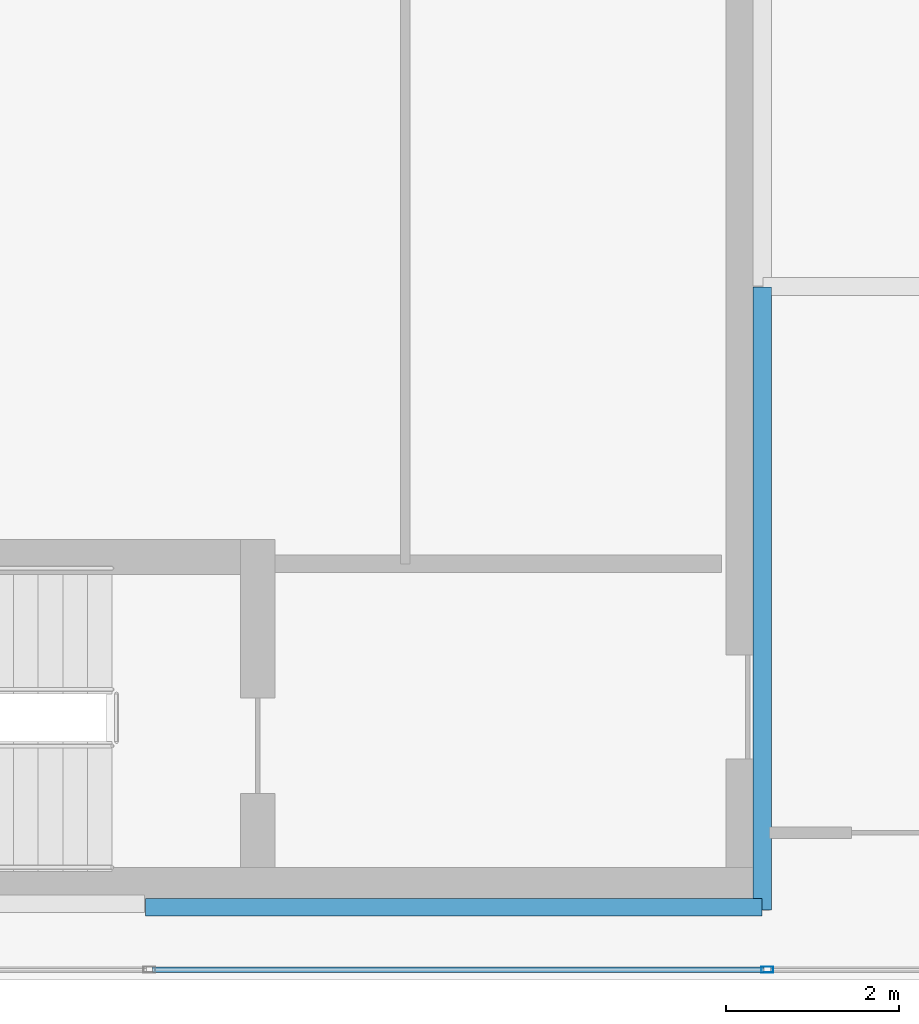
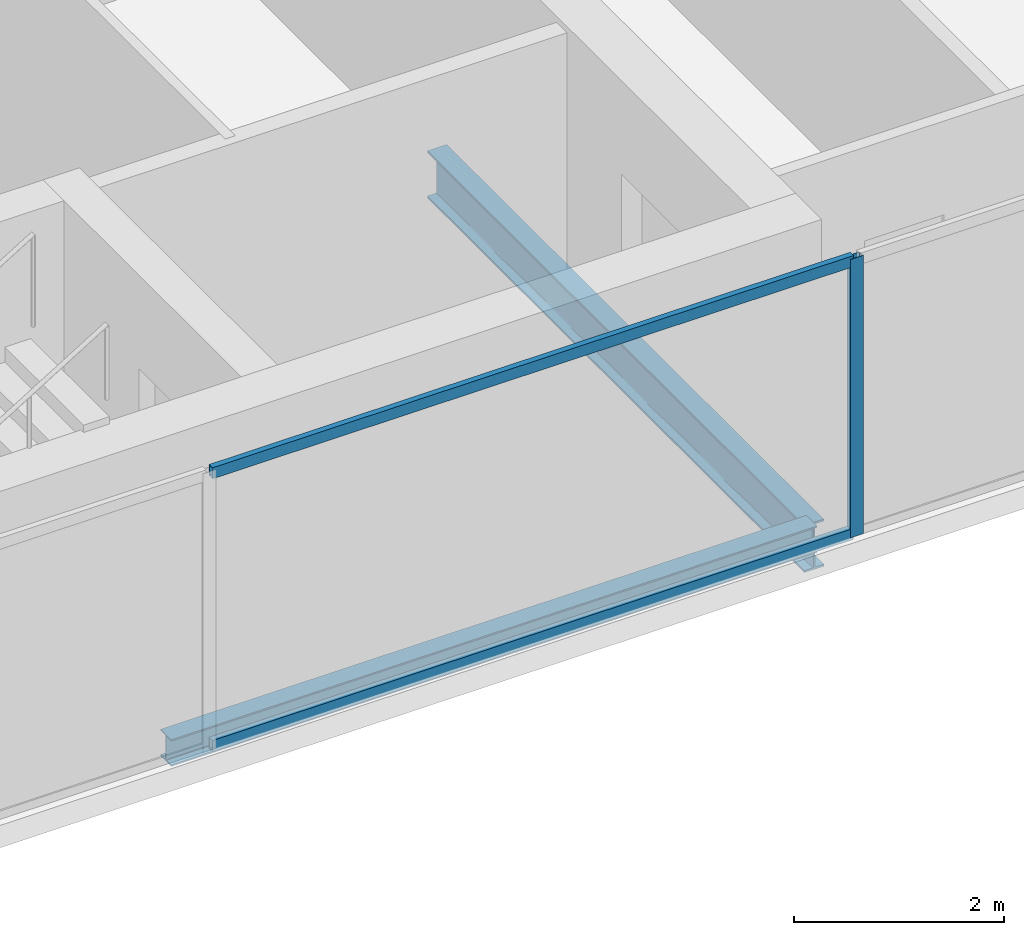
# One storey, part 3 of 23: 3 members, 2 beams, 1 element without a shape of its own.
"""IFC4 building model written with IfcOpenShell, lengths in metres."""

from ifc_helpers import new_model, si_unit, direction, frame, origin, origin_2d, place, context, subcontext, project, spatial, hollow_rectangle, i_section, extrude, material, material_profile, profile_set, type_object, element, aggregate, save


model = new_model("IFC4")

# Units and contexts
model_context = context("Model", 3, precision=1e-05, world=origin(), true_north=direction((0.0, 1.0)))
body_context = subcontext(model_context, "Body", "Model", "MODEL_VIEW")
ifc_project = project(units=[si_unit("LENGTHUNIT", "METRE"), si_unit("AREAUNIT", "SQUARE_METRE"), si_unit("VOLUMEUNIT", "CUBIC_METRE"), si_unit("PLANEANGLEUNIT", "RADIAN"), si_unit("MASSUNIT", "GRAM", prefix="KILO")], contexts=[model_context])

# Site, building, storey
site_placement = place(None, origin())
site = spatial("IfcSite", under=ifc_project, at=site_placement, CompositionType="ELEMENT")
building_placement = place(site_placement, origin())
building = spatial("IfcBuilding", under=site, at=building_placement, Name="Cobrela Telecom Tower", CompositionType="ELEMENT")
storey_placement = place(building_placement, frame((0.0, 0.0, 269.14990234375)))
storey = spatial("IfcBuildingStorey", under=building, at=storey_placement, Name="L70", CompositionType="ELEMENT", Elevation=269.14990234375)

# Beams
ifc_material_1 = material(Name="Steel ASTM A992 Grade 50", Category="steel")
ifc_material_profile_1 = material_profile(ifc_material_1, i_section(OverallWidth=0.212890625, OverallDepth=0.549072265625, WebThickness=0.0146484375, FlangeThickness=0.023681640625, FilletRadius=0.013916015625, at=origin_2d()), Name="W21X93")
ifc_profile_set_1 = profile_set([ifc_material_profile_1], Name="Steel ASTM A992 Grade 50")
beam_type_1 = type_object("IfcBeamType", Name="BM-GIRD-08", PredefinedType="USERDEFINED", material=ifc_profile_set_1)
beam_1_placement = place(storey_placement, frame((14.320068359375, 7.205078125, -0.534423828125), z_axis=(0.0, 1.0, 0.0), x_axis=(-1.0, 0.0, 0.0)))
element("IfcBeam", 1, at=beam_1_placement, inside=storey, type_object=beam_type_1, Name="L70 Primary Girder Y21", ObjectType="GIRDER", PredefinedType="USERDEFINED", context=body_context, shape_type="SweptSolid", body=[
    extrude(i_section(OverallWidth=0.212890625, OverallDepth=0.549072265625, WebThickness=0.0146484375, FlangeThickness=0.023681640625, FilletRadius=0.013916015625, at=origin_2d()), origin(), (0.0, 0.0, 1.0), 7.18994140625),
])
ifc_material_profile_2 = material_profile(ifc_material_1, i_section(OverallWidth=0.205078125, OverallDepth=0.31005859375, WebThickness=0.009521484375, FlangeThickness=0.016357421875, FilletRadius=0.010986328125, at=origin_2d()), Name="W12X50")
ifc_profile_set_2 = profile_set([ifc_material_profile_2], Name="Steel ASTM A992 Grade 50")
beam_type_2 = type_object("IfcBeamType", Name="BM-SPAND-07", PredefinedType="SPANDREL", material=ifc_profile_set_2)
beam_2_placement = place(storey_placement, frame((7.205078125, 7.239990234375, -0.414794921875), z_axis=(1.0, 0.0, 0.0), x_axis=(0.0, 1.0, 0.0)))
element("IfcBeam", 2, at=beam_2_placement, inside=storey, type_object=beam_type_2, Name="L70 Perimeter Spandrel X02", PredefinedType="SPANDREL", context=body_context, shape_type="SweptSolid", body=[
    extrude(i_section(OverallWidth=0.205078125, OverallDepth=0.31005859375, WebThickness=0.009521484375, FlangeThickness=0.016357421875, FilletRadius=0.010986328125, at=origin_2d()), origin(), (0.0, 0.0, 1.0), 7.10986328125),
])

# Curtain wall, members
ifc_material_2 = material(Name="Anodized Bronze Aluminium 6063-T6", Category="aluminium")
curtain_wall_type = type_object("IfcCurtainWallType", Name="CW-SYS-OFF-HI", PredefinedType="USERDEFINED", material=ifc_material_2)
curtain_wall_placement = place(storey_placement, origin())
curtain_wall = element("IfcCurtainWall", 3, at=curtain_wall_placement, inside=storey, type_object=curtain_wall_type, Name="L70 Unitised Bronze Curtain Wall 15", ObjectType="UNITISED CURTAIN WALL", PredefinedType="USERDEFINED")
ifc_material_profile_3 = material_profile(ifc_material_2, hollow_rectangle(XDim=0.070068359375, YDim=0.139892578125, WallThickness=0.00390625, at=origin_2d()), Name="ALU 70x140x4")
ifc_profile_set_3 = profile_set([ifc_material_profile_3], Name="Anodized Bronze Aluminium 6063-T6")
member_type_1 = type_object("IfcMemberType", Name="CW-SYS-OFF-HI-MUL", PredefinedType="MULLION", material=ifc_profile_set_3)
member_1_placement = place(storey_placement, frame((14.376708984375, 6.52001953125, 0.0), z_axis=(0.0, 0.0, 1.0), x_axis=(0.0, -1.0, 0.0)))
member_1 = element("IfcMember", 4, at=member_1_placement, type_object=member_type_1, Name="CW-OFF-HI mullion 5", PredefinedType="MULLION", context=body_context, shape_type="SweptSolid", body=[
    extrude(hollow_rectangle(XDim=0.070068359375, YDim=0.139892578125, WallThickness=0.00390625, at=origin_2d()), origin(), (0.0, 0.0, 1.0), 3.239990234375),
])
ifc_material_profile_4 = material_profile(ifc_material_2, hollow_rectangle(XDim=0.06494140625, YDim=0.1298828125, WallThickness=0.00390625, at=origin_2d()), Name="ALU 65x130x4")
ifc_profile_set_4 = profile_set([ifc_material_profile_4], Name="Anodized Bronze Aluminium 6063-T6")
member_type_2 = type_object("IfcMemberType", Name="CW-SYS-OFF-HI-TRN", PredefinedType="USERDEFINED", material=ifc_profile_set_4)
member_2_placement = place(storey_placement, frame((14.341552734375, 6.52001953125, 0.03271484375), z_axis=(-1.0, 0.0, 0.0), x_axis=(0.0, -1.0, 0.0)))
member_2 = element("IfcMember", 5, at=member_2_placement, type_object=member_type_2, Name="CW-OFF-HI transom 5.1", ObjectType="TRANSOM", PredefinedType="USERDEFINED", context=body_context, shape_type="SweptSolid", body=[
    extrude(hollow_rectangle(XDim=0.06494140625, YDim=0.1298828125, WallThickness=0.00390625, at=origin_2d()), origin(), (0.0, 0.0, 1.0), 7.05810546875),
])
member_3_placement = place(storey_placement, frame((14.341552734375, 6.52001953125, 3.20751953125), z_axis=(-1.0, 0.0, 0.0), x_axis=(0.0, -1.0, 0.0)))
member_3 = element("IfcMember", 6, at=member_3_placement, type_object=member_type_2, Name="CW-OFF-HI transom 5.2", ObjectType="TRANSOM", PredefinedType="USERDEFINED", context=body_context, shape_type="SweptSolid", body=[
    extrude(hollow_rectangle(XDim=0.06494140625, YDim=0.1298828125, WallThickness=0.00390625, at=origin_2d()), origin(), (0.0, 0.0, 1.0), 7.05810546875),
])
aggregate(curtain_wall, [member_1, member_2, member_3])

save(model, "model.ifc")
